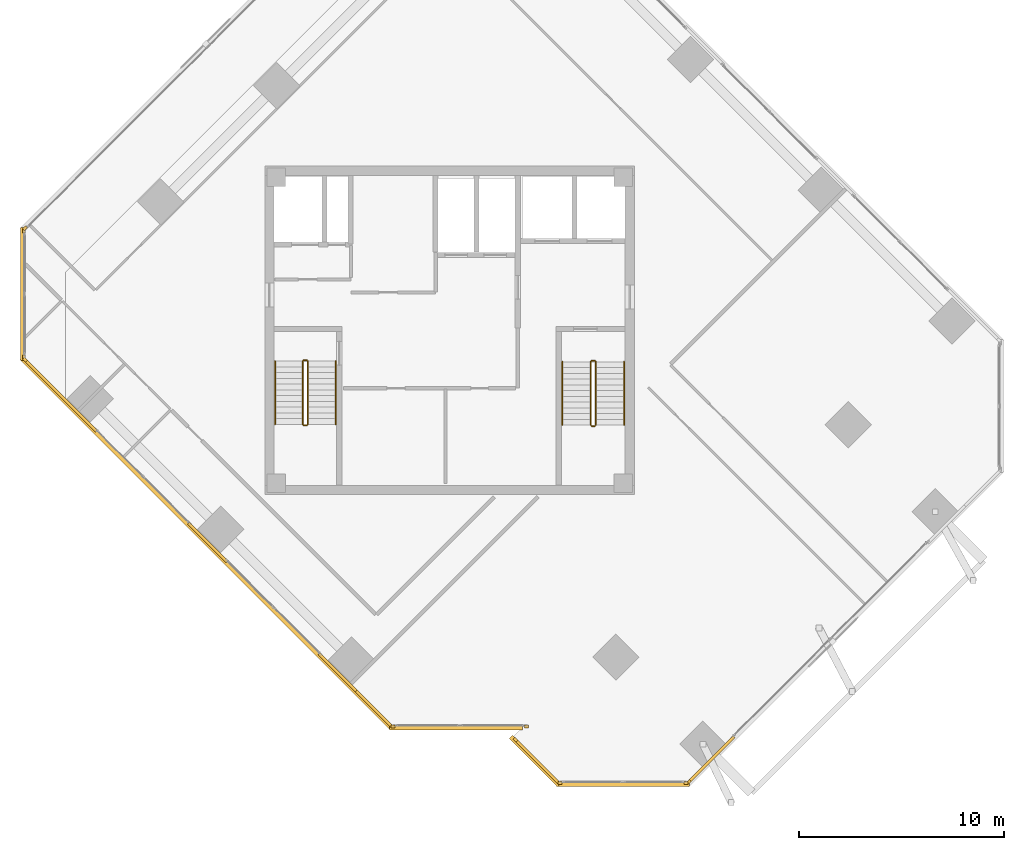
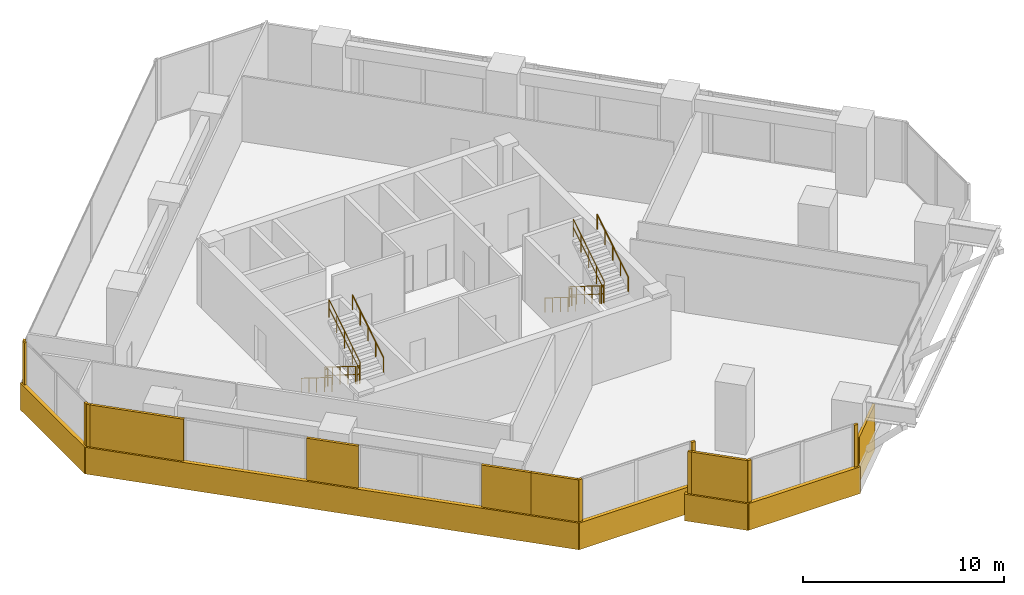
# One storey, part 15 of 17: 21 coverings, 12 railings.
"""IFC4 building model written with IfcOpenShell, lengths in metres."""

import ifcopenshell
import ifcopenshell.guid

model = None  # the IFC model being written
_history = None  # IfcOwnerHistory: only IFC2X3 demands one
_inside = {}  # id of a spatial element -> (the spatial element, [elements in it])
_under = {}  # id of a project, library or spatial element -> (it, [spatial elements below it])
_declared = {}  # id of a project -> (the project, [libraries it declares])
_typed = {}  # id of a type object -> (the type object, [elements of that type])
_made_of = {}  # id of a material, layer set ... -> (it, [elements and type objects made of it])


def new_model(schema):
    """Start an empty IFC model of exactly this schema.

    Asked for "IFC4X3", IfcOpenShell would pick the latest addendum, in which some entities
    have other attributes; the version numbers below select the first issue.
    IFC2X3 requires an IfcOwnerHistory on every rooted entity: one is made here for all.
    """
    global model, _history
    if schema == "IFC4X3":
        model = ifcopenshell.file(schema_version=(4, 3, 0, 0))
    else:
        model = ifcopenshell.file(schema=schema)
    _inside.clear()
    _under.clear()
    _declared.clear()
    _typed.clear()
    _made_of.clear()
    _history = None
    if model.schema == "IFC2X3":
        org = make("IfcOrganization", Name="unknown")
        user = make(
            "IfcPersonAndOrganization",
            ThePerson=make("IfcPerson", FamilyName="unknown"),
            TheOrganization=org,
        )
        app = make(
            "IfcApplication",
            ApplicationDeveloper=org,
            Version="unknown",
            ApplicationFullName="unknown",
            ApplicationIdentifier="unknown",
        )
        _history = make(
            "IfcOwnerHistory",
            OwningUser=user,
            OwningApplication=app,
            ChangeAction="ADDED",
            CreationDate=0,
        )
    return model


def make(cls, **values):
    """One entity of the class cls with the attributes given. An attribute that is None is left unset."""
    return model.create_entity(
        cls, **{name: value for name, value in values.items() if value is not None}
    )


def rooted(cls, **values):
    """An entity with a GlobalId (a new one), such as an element, a storey or a relation."""
    return make(cls, GlobalId=ifcopenshell.guid.new(), OwnerHistory=_history, **values)


def si_unit(unit_type, name, prefix=None):
    """IfcSIUnit, for example si_unit("LENGTHUNIT", "METRE", prefix="MILLI")."""
    return make("IfcSIUnit", UnitType=unit_type, Prefix=prefix, Name=name)


def assignment(units):
    """IfcUnitAssignment: the units of a project."""
    return None if units is None else make("IfcUnitAssignment", Units=units)


def point(xyz):
    """IfcCartesianPoint."""
    return None if xyz is None else make("IfcCartesianPoint", Coordinates=xyz)


def direction(xyz):
    """IfcDirection."""
    return None if xyz is None else make("IfcDirection", DirectionRatios=xyz)


def frame(location, z_axis=None, x_axis=None):
    """IfcAxis2Placement3D, a coordinate frame: its origin and axes. An axis left out is left unset."""
    return make(
        "IfcAxis2Placement3D",
        Location=point(location),
        Axis=direction(z_axis),
        RefDirection=direction(x_axis),
    )


def frame_2d(location, x_axis=None):
    """IfcAxis2Placement2D, a coordinate frame in the plane: its origin and x axis."""
    return make(
        "IfcAxis2Placement2D", Location=point(location), RefDirection=direction(x_axis)
    )


def origin():
    """The frame at (0, 0, 0) with its axes left unset."""
    return frame((0.0, 0.0, 0.0))


def origin_2d():
    """The frame at (0, 0) in the plane with its x axis left unset."""
    return frame_2d((0.0, 0.0))


def place(relative_to, where):
    """IfcLocalPlacement: puts the frame where relative to a parent placement (None: the world)."""
    return make(
        "IfcLocalPlacement", PlacementRelTo=relative_to, RelativePlacement=where
    )


def context(
    kind, dimensions, precision=None, world=None, true_north=None, identifier=None
):
    """IfcGeometricRepresentationContext, for example the 3D "Model" context."""
    return make(
        "IfcGeometricRepresentationContext",
        ContextIdentifier=identifier,
        ContextType=kind,
        CoordinateSpaceDimension=dimensions,
        Precision=precision,
        WorldCoordinateSystem=world,
        TrueNorth=true_north,
    )


def subcontext(parent, identifier, kind, view, scale=None):
    """IfcGeometricRepresentationSubContext, for example "Body" below "Model"."""
    return make(
        "IfcGeometricRepresentationSubContext",
        ContextIdentifier=identifier,
        ContextType=kind,
        ParentContext=parent,
        TargetScale=scale,
        TargetView=view,
    )


def project(units=None, contexts=None):
    """IfcProject with its units and contexts."""
    return rooted(
        "IfcProject",
        Name="project",
        RepresentationContexts=contexts,
        UnitsInContext=assignment(units),
    )


def spatial(cls, under=None, at=None, **own):
    """A site, building, storey or space (cls), placed at a placement, below another one or the project."""
    s = rooted(cls, ObjectPlacement=at, **own)
    if under is not None:
        _under.setdefault(under.id(), (under, []))[1].append(s)
    return s


def profile(cls, at=None, kind="AREA", **sizes):
    """A parametric profile (cls). Its sizes go by their IFC names, for example OverallWidth=200.0."""
    return make(cls, ProfileType=kind, Position=at, **sizes)


def rectangle(**sizes):
    """IfcRectangleProfileDef."""
    return profile("IfcRectangleProfileDef", **sizes)


def circle(**sizes):
    """IfcCircleProfileDef."""
    return profile("IfcCircleProfileDef", **sizes)


def extrude(swept, where, along, depth):
    """IfcExtrudedAreaSolid: the profile swept, set in the frame where, extruded along a direction by depth."""
    return make(
        "IfcExtrudedAreaSolid",
        SweptArea=swept,
        Position=where,
        ExtrudedDirection=direction(along),
        Depth=depth,
    )


def shape(context_of_items, identifier, shape_type, items):
    """IfcShapeRepresentation: the items that make up one representation, for example the "Body"."""
    return make(
        "IfcShapeRepresentation",
        ContextOfItems=context_of_items,
        RepresentationIdentifier=identifier,
        RepresentationType=shape_type,
        Items=items,
    )


def source(mapping_origin, context_of_items, identifier, shape_type, items):
    """IfcRepresentationMap: a shape defined once, which mapped items show again and again."""
    return make(
        "IfcRepresentationMap",
        MappingOrigin=mapping_origin,
        MappedRepresentation=shape(context_of_items, identifier, shape_type, items),
    )


def transform(
    local_origin,
    x_axis=None,
    y_axis=None,
    z_axis=None,
    scale=None,
    scale2=None,
    scale3=None,
    uniform=True,
):
    """IfcCartesianTransformationOperator3D, or its non-uniform kind. x_axis, y_axis, z_axis: its Axis1, 2, 3."""
    if uniform:
        return make(
            "IfcCartesianTransformationOperator3D",
            Axis1=direction(x_axis),
            Axis2=direction(y_axis),
            LocalOrigin=point(local_origin),
            Scale=scale,
            Axis3=direction(z_axis),
        )
    return make(
        "IfcCartesianTransformationOperator3DnonUniform",
        Axis1=direction(x_axis),
        Axis2=direction(y_axis),
        LocalOrigin=point(local_origin),
        Scale=scale,
        Axis3=direction(z_axis),
        Scale2=scale2,
        Scale3=scale3,
    )


def mapped(mapping_source, mapping_target):
    """IfcMappedItem: shows the shape of a source again, moved by a transform."""
    return make(
        "IfcMappedItem", MappingSource=mapping_source, MappingTarget=mapping_target
    )


def material(Name=None, Category=None):
    """IfcMaterial."""
    return make("IfcMaterial", Name=Name, Category=Category)


def layer(
    of_material, thickness, ventilated=None, Name=None, Category=None, Priority=None
):
    """IfcMaterialLayer: one layer of a wall or slab, of a material (None: an air gap)."""
    return make(
        "IfcMaterialLayer",
        Material=of_material,
        LayerThickness=thickness,
        IsVentilated=ventilated,
        Name=Name,
        Category=Category,
        Priority=Priority,
    )


def layer_set(layers, Name=None):
    """IfcMaterialLayerSet."""
    return make("IfcMaterialLayerSet", MaterialLayers=layers, LayerSetName=Name)


def made_of(thing, what):
    """Note that an element or type object is made of a material, layer set ...; save() writes the relation."""
    if what is not None:
        _made_of.setdefault(what.id(), (what, []))[1].append(thing)
    return thing


def type_object(cls, material=None, **own):
    """A type object (cls), such as IfcWallType, which elements share."""
    return made_of(rooted(cls, **own), material)


def element(
    cls,
    number,
    at=None,
    inside=None,
    cuts=None,
    type_object=None,
    material=None,
    context=None,
    identifier="Body",
    shape_type=None,
    held_by="IfcProductDefinitionShape",
    body=None,
    shapes=None,
    **own,
):
    """One element of the class cls, such as IfcWall. Its Tag is "e" and its number.

    at: its placement. inside: the storey or other place that contains it. cuts: it is an
    opening in that element (IfcRelVoidsElement). A single representation is given by context,
    identifier, shape_type and body (its items); several are given by shapes. held_by: the class
    of the entity that holds the representations. save() writes the other relations.
    """
    e = rooted(cls, Tag="e%d" % number, ObjectPlacement=at, **own)
    if body is not None:
        shapes = [shape(context, identifier, shape_type, body)]
    if shapes is not None:
        e.Representation = make(held_by, Representations=shapes)
    if inside is not None:
        _inside.setdefault(inside.id(), (inside, []))[1].append(e)
    if cuts is not None:
        rooted(
            "IfcRelVoidsElement", RelatingBuildingElement=cuts, RelatedOpeningElement=e
        )
    if type_object is not None:
        _typed.setdefault(type_object.id(), (type_object, []))[1].append(e)
    return made_of(e, material)


def aggregate(whole, parts):
    """IfcRelAggregates: a whole, such as a stair, and the parts it consists of."""
    return rooted("IfcRelAggregates", RelatingObject=whole, RelatedObjects=parts)


def save(model, path):
    """Write the relations noted so far, then the file.

    IfcRelAggregates (storeys below a building ...), IfcRelContainedInSpatialStructure (elements
    in a storey), IfcRelDefinesByType, IfcRelAssociatesMaterial and IfcRelDeclares: one each for
    every whole, place, type object, material and project.
    """
    for whole, parts in _under.values():
        aggregate(whole, parts)
    for where, things in _inside.values():
        rooted(
            "IfcRelContainedInSpatialStructure",
            RelatedElements=things,
            RelatingStructure=where,
        )
    for kind, things in _typed.values():
        rooted("IfcRelDefinesByType", RelatedObjects=things, RelatingType=kind)
    for what, things in _made_of.values():
        rooted("IfcRelAssociatesMaterial", RelatedObjects=things, RelatingMaterial=what)
    for by, libraries in _declared.values():
        rooted("IfcRelDeclares", RelatingContext=by, RelatedDefinitions=libraries)
    model.write(path)


model = new_model("IFC4")

# Units and contexts
model_context = context("Model", 3, precision=1e-05, world=origin(), true_north=direction((0.0, 1.0)))
body_context = subcontext(model_context, "Body", "Model", "MODEL_VIEW")
ifc_project = project(units=[si_unit("LENGTHUNIT", "METRE"), si_unit("AREAUNIT", "SQUARE_METRE"), si_unit("VOLUMEUNIT", "CUBIC_METRE"), si_unit("PLANEANGLEUNIT", "RADIAN"), si_unit("MASSUNIT", "GRAM", prefix="KILO")], contexts=[model_context])

# Site, building, storey
site_placement = place(None, origin())
site = spatial("IfcSite", under=ifc_project, at=site_placement, CompositionType="ELEMENT")
building_placement = place(site_placement, origin())
building = spatial("IfcBuilding", under=site, at=building_placement, Name="Torre Montelarca", CompositionType="ELEMENT")
storey_placement = place(building_placement, frame((0.0, 0.0, 250.0)))
storey = spatial("IfcBuildingStorey", under=building, at=storey_placement, Name="L56", CompositionType="ELEMENT", Elevation=250.0)

# Railings
ifc_material_1 = material(Name="Powder-coated steel ASTM A500 Grade C", Category="steel")
railing_type_1 = type_object("IfcRailingType", Name="RL-GUARD-1100", PredefinedType="BALUSTRADE", material=ifc_material_1)
railing_1_placement = place(storey_placement, frame((10.85009765625, 30.5, 0.175048828125)))
element("IfcRailing", 1, at=railing_1_placement, inside=storey, type_object=railing_type_1, Name="L56 ST1 stair guard 1", PredefinedType="BALUSTRADE", context=body_context, shape_type="SweptSolid", body=[
    extrude(circle(Radius=0.02392578125, at=origin_2d()), frame((0.0, 0.0, 1.076171875), z_axis=(0.0, -0.847998304005, 0.529998940003), x_axis=(1.0, 0.0, 0.0)), (0.0, 0.0, 1.0), 3.632080078125),
    extrude(circle(Radius=0.02099609375, at=origin_2d()), frame((0.0, 0.0, 0.572021484375), z_axis=(0.0, -0.847998304005, 0.529998940003), x_axis=(1.0, 0.0, 0.0)), (0.0, 0.0, 1.0), 3.632080078125),
    extrude(circle(Radius=0.02099609375, at=origin_2d()), origin(), (0.0, 0.0, 1.0), 1.052001953125),
    extrude(circle(Radius=0.02099609375, at=origin_2d()), frame((0.0, -0.77001953125, 0.481201171875)), (0.0, 0.0, 1.0), 1.052001953125),
    extrude(circle(Radius=0.02099609375, at=origin_2d()), frame((0.0, -1.5400390625, 0.96240234375)), (0.0, 0.0, 1.0), 1.052001953125),
    extrude(circle(Radius=0.02099609375, at=origin_2d()), frame((0.0, -2.31005859375, 1.44384765625)), (0.0, 0.0, 1.0), 1.052001953125),
    extrude(circle(Radius=0.02099609375, at=origin_2d()), frame((0.0, -3.080078125, 1.925048828125)), (0.0, 0.0, 1.0), 1.052001953125),
])
railing_2_placement = place(storey_placement, frame((10.89990234375, 27.3701171875, 2.10009765625)))
element("IfcRailing", 2, at=railing_2_placement, inside=storey, type_object=railing_type_1, Name="L56 ST1 stair guard 2", PredefinedType="BALUSTRADE", context=body_context, shape_type="SweptSolid", body=[
    extrude(circle(Radius=0.02392578125, at=origin_2d()), frame((0.0, 0.0, 1.076171875), z_axis=(1.0, 0.0, 0.0), x_axis=(0.0, 1.0, 0.0)), (0.0, 0.0, 1.0), 0.150146484375),
    extrude(circle(Radius=0.02099609375, at=origin_2d()), frame((0.0, 0.0, 0.572021484375), z_axis=(1.0, 0.0, 0.0), x_axis=(0.0, 1.0, 0.0)), (0.0, 0.0, 1.0), 0.150146484375),
    extrude(circle(Radius=0.02099609375, at=origin_2d()), origin(), (0.0, 0.0, 1.0), 1.052001953125),
    extrude(circle(Radius=0.02099609375, at=origin_2d()), frame((0.150146484375, 0.0, 0.0)), (0.0, 0.0, 1.0), 1.052001953125),
])
railing_3_placement = place(storey_placement, frame((11.10009765625, 27.419921875, 2.27490234375)))
element("IfcRailing", 3, at=railing_3_placement, inside=storey, type_object=railing_type_1, Name="L56 ST1 stair guard 3", PredefinedType="BALUSTRADE", context=body_context, shape_type="SweptSolid", body=[
    extrude(circle(Radius=0.02392578125, at=origin_2d()), frame((0.0, 0.0, 1.076171875), z_axis=(0.0, 0.847998304005, 0.529998940003), x_axis=(-1.0, 0.0, 0.0)), (0.0, 0.0, 1.0), 3.632080078125),
    extrude(circle(Radius=0.02099609375, at=origin_2d()), frame((0.0, 0.0, 0.572021484375), z_axis=(0.0, 0.847998304005, 0.529998940003), x_axis=(-1.0, 0.0, 0.0)), (0.0, 0.0, 1.0), 3.632080078125),
    extrude(circle(Radius=0.02099609375, at=origin_2d()), origin(), (0.0, 0.0, 1.0), 1.052001953125),
    extrude(circle(Radius=0.02099609375, at=origin_2d()), frame((0.0, 0.77001953125, 0.481201171875)), (0.0, 0.0, 1.0), 1.052001953125),
    extrude(circle(Radius=0.02099609375, at=origin_2d()), frame((0.0, 1.5400390625, 0.96240234375)), (0.0, 0.0, 1.0), 1.052001953125),
    extrude(circle(Radius=0.02099609375, at=origin_2d()), frame((0.0, 2.31005859375, 1.44384765625)), (0.0, 0.0, 1.0), 1.052001953125),
    extrude(circle(Radius=0.02099609375, at=origin_2d()), frame((0.0, 3.080078125, 1.925048828125)), (0.0, 0.0, 1.0), 1.052001953125),
])
railing_4_placement = place(storey_placement, frame((10.89990234375, 30.550048828125, 0.0)))
element("IfcRailing", 4, at=railing_4_placement, inside=storey, type_object=railing_type_1, Name="L56 ST1 stair guard 4", PredefinedType="BALUSTRADE", context=body_context, shape_type="SweptSolid", body=[
    extrude(circle(Radius=0.02392578125, at=origin_2d()), frame((0.0, 0.0, 1.076171875), z_axis=(1.0, 0.0, 0.0), x_axis=(0.0, 1.0, 0.0)), (0.0, 0.0, 1.0), 0.150146484375),
    extrude(circle(Radius=0.02099609375, at=origin_2d()), frame((0.0, 0.0, 0.572021484375), z_axis=(1.0, 0.0, 0.0), x_axis=(0.0, 1.0, 0.0)), (0.0, 0.0, 1.0), 0.150146484375),
    extrude(circle(Radius=0.02099609375, at=origin_2d()), origin(), (0.0, 0.0, 1.0), 1.052001953125),
    extrude(circle(Radius=0.02099609375, at=origin_2d()), frame((0.150146484375, 0.0, 0.0)), (0.0, 0.0, 1.0), 1.052001953125),
])
railing_5_placement = place(storey_placement, frame((24.8701171875, 30.469970703125, 0.175048828125)))
element("IfcRailing", 5, at=railing_5_placement, inside=storey, type_object=railing_type_1, Name="L56 ST2 stair guard 1", PredefinedType="BALUSTRADE", context=body_context, shape_type="SweptSolid", body=[
    extrude(circle(Radius=0.02392578125, at=origin_2d()), frame((0.0, 0.0, 1.076171875), z_axis=(0.0, -0.847998304005, 0.529998940003), x_axis=(1.0, 0.0, 0.0)), (0.0, 0.0, 1.0), 3.632080078125),
    extrude(circle(Radius=0.02099609375, at=origin_2d()), frame((0.0, 0.0, 0.572021484375), z_axis=(0.0, -0.847998304005, 0.529998940003), x_axis=(1.0, 0.0, 0.0)), (0.0, 0.0, 1.0), 3.632080078125),
    extrude(circle(Radius=0.02099609375, at=origin_2d()), origin(), (0.0, 0.0, 1.0), 1.052001953125),
    extrude(circle(Radius=0.02099609375, at=origin_2d()), frame((0.0, -0.77001953125, 0.481201171875)), (0.0, 0.0, 1.0), 1.052001953125),
    extrude(circle(Radius=0.02099609375, at=origin_2d()), frame((0.0, -1.5400390625, 0.96240234375)), (0.0, 0.0, 1.0), 1.052001953125),
    extrude(circle(Radius=0.02099609375, at=origin_2d()), frame((0.0, -2.31005859375, 1.44384765625)), (0.0, 0.0, 1.0), 1.052001953125),
    extrude(circle(Radius=0.02099609375, at=origin_2d()), frame((0.0, -3.080078125, 1.925048828125)), (0.0, 0.0, 1.0), 1.052001953125),
])
railing_6_placement = place(storey_placement, frame((24.919921875, 27.340087890625, 2.10009765625)))
element("IfcRailing", 6, at=railing_6_placement, inside=storey, type_object=railing_type_1, Name="L56 ST2 stair guard 2", PredefinedType="BALUSTRADE", context=body_context, shape_type="SweptSolid", body=[
    extrude(circle(Radius=0.02392578125, at=origin_2d()), frame((0.0, 0.0, 1.076171875), z_axis=(1.0, 0.0, 0.0), x_axis=(0.0, 1.0, 0.0)), (0.0, 0.0, 1.0), 0.150146484375),
    extrude(circle(Radius=0.02099609375, at=origin_2d()), frame((0.0, 0.0, 0.572021484375), z_axis=(1.0, 0.0, 0.0), x_axis=(0.0, 1.0, 0.0)), (0.0, 0.0, 1.0), 0.150146484375),
    extrude(circle(Radius=0.02099609375, at=origin_2d()), origin(), (0.0, 0.0, 1.0), 1.052001953125),
    extrude(circle(Radius=0.02099609375, at=origin_2d()), frame((0.150146484375, 0.0, 0.0)), (0.0, 0.0, 1.0), 1.052001953125),
])
railing_7_placement = place(storey_placement, frame((25.1201171875, 27.389892578125, 2.27490234375)))
element("IfcRailing", 7, at=railing_7_placement, inside=storey, type_object=railing_type_1, Name="L56 ST2 stair guard 3", PredefinedType="BALUSTRADE", context=body_context, shape_type="SweptSolid", body=[
    extrude(circle(Radius=0.02392578125, at=origin_2d()), frame((0.0, 0.0, 1.076171875), z_axis=(0.0, 0.847998304005, 0.529998940003), x_axis=(-1.0, 0.0, 0.0)), (0.0, 0.0, 1.0), 3.632080078125),
    extrude(circle(Radius=0.02099609375, at=origin_2d()), frame((0.0, 0.0, 0.572021484375), z_axis=(0.0, 0.847998304005, 0.529998940003), x_axis=(-1.0, 0.0, 0.0)), (0.0, 0.0, 1.0), 3.632080078125),
    extrude(circle(Radius=0.02099609375, at=origin_2d()), origin(), (0.0, 0.0, 1.0), 1.052001953125),
    extrude(circle(Radius=0.02099609375, at=origin_2d()), frame((0.0, 0.77001953125, 0.481201171875)), (0.0, 0.0, 1.0), 1.052001953125),
    extrude(circle(Radius=0.02099609375, at=origin_2d()), frame((0.0, 1.5400390625, 0.96240234375)), (0.0, 0.0, 1.0), 1.052001953125),
    extrude(circle(Radius=0.02099609375, at=origin_2d()), frame((0.0, 2.31005859375, 1.44384765625)), (0.0, 0.0, 1.0), 1.052001953125),
    extrude(circle(Radius=0.02099609375, at=origin_2d()), frame((0.0, 3.080078125, 1.925048828125)), (0.0, 0.0, 1.0), 1.052001953125),
])
railing_8_placement = place(storey_placement, frame((24.919921875, 30.52001953125, 0.0)))
element("IfcRailing", 8, at=railing_8_placement, inside=storey, type_object=railing_type_1, Name="L56 ST2 stair guard 4", PredefinedType="BALUSTRADE", context=body_context, shape_type="SweptSolid", body=[
    extrude(circle(Radius=0.02392578125, at=origin_2d()), frame((0.0, 0.0, 1.076171875), z_axis=(1.0, 0.0, 0.0), x_axis=(0.0, 1.0, 0.0)), (0.0, 0.0, 1.0), 0.150146484375),
    extrude(circle(Radius=0.02099609375, at=origin_2d()), frame((0.0, 0.0, 0.572021484375), z_axis=(1.0, 0.0, 0.0), x_axis=(0.0, 1.0, 0.0)), (0.0, 0.0, 1.0), 0.150146484375),
    extrude(circle(Radius=0.02099609375, at=origin_2d()), origin(), (0.0, 0.0, 1.0), 1.052001953125),
    extrude(circle(Radius=0.02099609375, at=origin_2d()), frame((0.150146484375, 0.0, 0.0)), (0.0, 0.0, 1.0), 1.052001953125),
])
ifc_material_2 = material(Name="Brushed stainless steel AISI 316", Category="steel")
railing_type_2 = type_object("IfcRailingType", Name="RL-HANDRAIL-900", PredefinedType="HANDRAIL", material=ifc_material_2)
railing_9_placement = place(storey_placement, frame((9.5, 30.5, 0.175048828125)))
element("IfcRailing", 9, at=railing_9_placement, inside=storey, type_object=railing_type_2, Name="L56 ST1 stair handrail 1", PredefinedType="HANDRAIL", context=body_context, shape_type="SweptSolid", body=[
    extrude(circle(Radius=0.02392578125, at=origin_2d()), frame((0.0, 0.0, 0.8759765625), z_axis=(0.0, -0.847998304005, 0.529998940003), x_axis=(1.0, 0.0, 0.0)), (0.0, 0.0, 1.0), 3.632080078125),
    extrude(circle(Radius=0.02099609375, at=origin_2d()), origin(), (0.0, 0.0, 1.0), 0.851806640625),
    extrude(circle(Radius=0.02099609375, at=origin_2d()), frame((0.0, -0.77001953125, 0.481201171875)), (0.0, 0.0, 1.0), 0.851806640625),
    extrude(circle(Radius=0.02099609375, at=origin_2d()), frame((0.0, -1.5400390625, 0.96240234375)), (0.0, 0.0, 1.0), 0.851806640625),
    extrude(circle(Radius=0.02099609375, at=origin_2d()), frame((0.0, -2.31005859375, 1.44384765625)), (0.0, 0.0, 1.0), 0.851806640625),
    extrude(circle(Radius=0.02099609375, at=origin_2d()), frame((0.0, -3.080078125, 1.925048828125)), (0.0, 0.0, 1.0), 0.851806640625),
])
railing_10_placement = place(storey_placement, frame((12.449951171875, 27.419921875, 2.27490234375)))
element("IfcRailing", 10, at=railing_10_placement, inside=storey, type_object=railing_type_2, Name="L56 ST1 stair handrail 2", PredefinedType="HANDRAIL", context=body_context, shape_type="SweptSolid", body=[
    extrude(circle(Radius=0.02392578125, at=origin_2d()), frame((0.0, 0.0, 0.8759765625), z_axis=(0.0, 0.847998304005, 0.529998940003), x_axis=(-1.0, 0.0, 0.0)), (0.0, 0.0, 1.0), 3.632080078125),
    extrude(circle(Radius=0.02099609375, at=origin_2d()), origin(), (0.0, 0.0, 1.0), 0.851806640625),
    extrude(circle(Radius=0.02099609375, at=origin_2d()), frame((0.0, 0.77001953125, 0.481201171875)), (0.0, 0.0, 1.0), 0.851806640625),
    extrude(circle(Radius=0.02099609375, at=origin_2d()), frame((0.0, 1.5400390625, 0.96240234375)), (0.0, 0.0, 1.0), 0.851806640625),
    extrude(circle(Radius=0.02099609375, at=origin_2d()), frame((0.0, 2.31005859375, 1.44384765625)), (0.0, 0.0, 1.0), 0.851806640625),
    extrude(circle(Radius=0.02099609375, at=origin_2d()), frame((0.0, 3.080078125, 1.925048828125)), (0.0, 0.0, 1.0), 0.851806640625),
])
railing_11_placement = place(storey_placement, frame((23.489990234375, 30.469970703125, 0.175048828125)))
element("IfcRailing", 11, at=railing_11_placement, inside=storey, type_object=railing_type_2, Name="L56 ST2 stair handrail 1", PredefinedType="HANDRAIL", context=body_context, shape_type="SweptSolid", body=[
    extrude(circle(Radius=0.02392578125, at=origin_2d()), frame((0.0, 0.0, 0.8759765625), z_axis=(0.0, -0.847998304005, 0.529998940003), x_axis=(1.0, 0.0, 0.0)), (0.0, 0.0, 1.0), 3.632080078125),
    extrude(circle(Radius=0.02099609375, at=origin_2d()), origin(), (0.0, 0.0, 1.0), 0.851806640625),
    extrude(circle(Radius=0.02099609375, at=origin_2d()), frame((0.0, -0.77001953125, 0.481201171875)), (0.0, 0.0, 1.0), 0.851806640625),
    extrude(circle(Radius=0.02099609375, at=origin_2d()), frame((0.0, -1.5400390625, 0.96240234375)), (0.0, 0.0, 1.0), 0.851806640625),
    extrude(circle(Radius=0.02099609375, at=origin_2d()), frame((0.0, -2.31005859375, 1.44384765625)), (0.0, 0.0, 1.0), 0.851806640625),
    extrude(circle(Radius=0.02099609375, at=origin_2d()), frame((0.0, -3.080078125, 1.925048828125)), (0.0, 0.0, 1.0), 0.851806640625),
])
railing_12_placement = place(storey_placement, frame((26.5, 27.389892578125, 2.27490234375)))
element("IfcRailing", 12, at=railing_12_placement, inside=storey, type_object=railing_type_2, Name="L56 ST2 stair handrail 2", PredefinedType="HANDRAIL", context=body_context, shape_type="SweptSolid", body=[
    extrude(circle(Radius=0.02392578125, at=origin_2d()), frame((0.0, 0.0, 0.8759765625), z_axis=(0.0, 0.847998304005, 0.529998940003), x_axis=(-1.0, 0.0, 0.0)), (0.0, 0.0, 1.0), 3.632080078125),
    extrude(circle(Radius=0.02099609375, at=origin_2d()), origin(), (0.0, 0.0, 1.0), 0.851806640625),
    extrude(circle(Radius=0.02099609375, at=origin_2d()), frame((0.0, 0.77001953125, 0.481201171875)), (0.0, 0.0, 1.0), 0.851806640625),
    extrude(circle(Radius=0.02099609375, at=origin_2d()), frame((0.0, 1.5400390625, 0.96240234375)), (0.0, 0.0, 1.0), 0.851806640625),
    extrude(circle(Radius=0.02099609375, at=origin_2d()), frame((0.0, 2.31005859375, 1.44384765625)), (0.0, 0.0, 1.0), 0.851806640625),
    extrude(circle(Radius=0.02099609375, at=origin_2d()), frame((0.0, 3.080078125, 1.925048828125)), (0.0, 0.0, 1.0), 0.851806640625),
])

# Coverings
ifc_material_3 = material(Name="Bush-hammered warm white precast concrete C45/55", Category="concrete")
ifc_layer = layer(ifc_material_3, 0.139892578125, Name="Bush-hammered warm white precast concrete C45/55", Category="concrete")
ifc_layer_set = layer_set([ifc_layer], Name="Bush-hammered warm white precast concrete C45/55")
covering_type = type_object("IfcCoveringType", Name="COV-TRAY-CLAD", PredefinedType="CLADDING", material=ifc_layer_set)
shared_shape_1 = source(origin(), body_context, "Body", "SweptSolid", [
    extrude(rectangle(XDim=6.48388671875, YDim=0.219970703125, at=origin_2d()), origin(), (0.0, 0.0, 1.0), 1.6201171875),
])
for number, where, z_axis, x_axis, name in (
    (13, (18.318115234375, 12.6552734375, -0.449951171875), (0.0, 0.0, 1.0), (1.0, 0.0, 0.0), "L56 Architectural White Spandrel Tray Band TRYBOT-02"),
    (14, (26.44970703125, 9.897705078125, -0.449951171875), (0.0, 0.0, 1.0), (1.0, 0.0, 0.0), "L56 Architectural White Spandrel Tray Band TRYBOT-05"),
    (15, (-2.79443359375, 33.767578125, -0.449951171875), (0.0, 0.0, 1.0), (0.0, -1.0, 0.0), "L56 Architectural White Spandrel Tray Band TRYBOT-11"),
):
    element("IfcCovering", number, at=place(storey_placement, frame(where, z_axis=z_axis, x_axis=x_axis)), inside=storey, type_object=covering_type, Name=name, PredefinedType="CLADDING", context=body_context, shape_type="MappedRepresentation", body=[
        mapped(shared_shape_1, transform((0.0, 0.0, 0.0), scale=1.0)),
    ])
shared_shape_2 = source(origin(), body_context, "Body", "SweptSolid", [
    extrude(rectangle(XDim=25.52001953125, YDim=0.219970703125, at=origin_2d()), origin(), (0.0, 0.0, 1.0), 1.6201171875),
])
covering_1_placement = place(storey_placement, frame((6.177001953125, 21.626708984375, -0.449951171875), z_axis=(0.0, 0.0, 1.0), x_axis=(0.707106781187, -0.707106781187, 0.0)))
element("IfcCovering", 16, at=covering_1_placement, inside=storey, type_object=covering_type, Name="L56 Architectural White Spandrel Tray Band TRYBOT-01", PredefinedType="CLADDING", context=body_context, shape_type="MappedRepresentation", body=[
    mapped(shared_shape_2, transform((0.0, 0.0, 0.0), scale=1.0)),
])
shared_shape_3 = source(origin(), body_context, "Body", "SweptSolid", [
    extrude(rectangle(XDim=0.199951171875, YDim=0.139892578125, at=origin_2d()), origin(), (0.0, 0.0, 1.0), 3.719970703125),
])
for number, where, z_axis, x_axis, name in (
    (17, (-2.678955078125, 30.5673828125, 0.0), (0.0, 0.0, 1.0), (0.707106781187, -0.707106781187, 0.0), "L56 Architectural Column Pier Cladding E01-1"),
    (18, (15.251708984375, 12.71533203125, 0.0), (0.0, 0.0, 1.0), (1.0, 0.0, 0.0), "L56 Architectural Column Pier Cladding E02-1"),
    (19, (21.751708984375, 12.71533203125, 0.0), (0.0, 0.0, 1.0), (1.0, 0.0, 0.0), "L56 Architectural Column Pier Cladding E02-2"),
    (20, (21.204345703125, 12.05810546875, 0.0), (0.0, 0.0, 1.0), (0.707124058854, -0.707089503097, 0.0), "L56 Architectural Column Pier Cladding E04-1"),
    (21, (23.383544921875, 9.95751953125, 0.0), (0.0, 0.0, 1.0), (1.0, 0.0, 0.0), "L56 Architectural Column Pier Cladding E05-1"),
    (22, (29.515869140625, 9.95751953125, 0.0), (0.0, 0.0, 1.0), (1.0, 0.0, 0.0), "L56 Architectural Column Pier Cladding E05-2"),
    (23, (-2.678955078125, 36.968017578125, 0.0), (0.0, 0.0, 1.0), (-0.707104312914, -0.707109249451, 0.0), "L56 Architectural Column Pier Cladding E10-2"),
    (24, (-2.734619140625, 36.833984375, 0.0), (0.0, 0.0, 1.0), (0.0, -1.0, 0.0), "L56 Architectural Column Pier Cladding E11-1"),
    (25, (-2.734619140625, 30.70166015625, 0.0), (0.0, 0.0, 1.0), (0.0, -1.0, 0.0), "L56 Architectural Column Pier Cladding E11-2"),
):
    element("IfcCovering", number, at=place(storey_placement, frame(where, z_axis=z_axis, x_axis=x_axis)), inside=storey, type_object=covering_type, Name=name, PredefinedType="CLADDING", context=body_context, shape_type="MappedRepresentation", body=[
        mapped(shared_shape_3, transform((0.0, 0.0, 0.0), scale=1.0)),
    ])
shared_shape_4 = source(origin(), body_context, "Body", "SweptSolid", [
    extrude(rectangle(XDim=0.199951171875, YDim=0.139892578125, at=origin_2d()), origin(), (0.0, 0.0, 1.0), 2.77490234375),
])
covering_2_placement = place(storey_placement, frame((29.64990234375, 10.01318359375, 0.0), z_axis=(0.0, 0.0, 1.0), x_axis=(0.707106781187, 0.707106781187, 0.0)))
element("IfcCovering", 26, at=covering_2_placement, inside=storey, type_object=covering_type, Name="L56 Architectural Column Pier Cladding E06-1", PredefinedType="CLADDING", context=body_context, shape_type="MappedRepresentation", body=[
    mapped(shared_shape_4, transform((0.0, 0.0, 0.0), scale=1.0)),
])
shared_shape_5 = source(origin(), body_context, "Body", "SweptSolid", [
    extrude(rectangle(XDim=3.320068359375, YDim=0.219970703125, at=origin_2d()), origin(), (0.0, 0.0, 1.0), 1.6201171875),
])
covering_3_placement = place(storey_placement, frame((22.15771484375, 11.020263671875, -0.449951171875), z_axis=(0.0, 0.0, 1.0), x_axis=(0.707122824748, -0.707090737261, 0.0)))
element("IfcCovering", 27, at=covering_3_placement, inside=storey, type_object=covering_type, Name="L56 Architectural White Spandrel Tray Band TRYBOT-04", PredefinedType="CLADDING", context=body_context, shape_type="MappedRepresentation", body=[
    mapped(shared_shape_5, transform((0.0, 0.0, 0.0), scale=1.0)),
])
shared_shape_6 = source(origin(), body_context, "Body", "SweptSolid", [
    extrude(rectangle(XDim=2.9921875, YDim=0.139892578125, at=origin_2d()), origin(), (0.0, 0.0, 1.0), 3.719970703125),
])
covering_4_placement = place(storey_placement, frame((22.26220703125, 11.000244140625, 0.0), z_axis=(0.0, 0.0, 1.0), x_axis=(0.707124058854, -0.707089503097, 0.0)))
element("IfcCovering", 28, at=covering_4_placement, inside=storey, type_object=covering_type, Name="L56 Architectural Column Pier Cladding E04-2", PredefinedType="CLADDING", context=body_context, shape_type="MappedRepresentation", body=[
    mapped(shared_shape_6, transform((0.0, 0.0, 0.0), scale=1.0)),
])
shared_shape_7 = source(origin(), body_context, "Body", "SweptSolid", [
    extrude(rectangle(XDim=2.659912109375, YDim=0.139892578125, at=origin_2d()), origin(), (0.0, 0.0, 1.0), 3.719970703125),
])
for number, where, z_axis, x_axis, name in (
    (29, (6.219482421875, 21.669189453125, 0.0), (0.0, 0.0, 1.0), (0.707106781187, -0.707106781187, 0.0), "L56 Architectural Column Pier Cladding E01-3"),
    (30, (12.58349609375, 15.30517578125, 0.0), (0.0, 0.0, 1.0), (0.707106781187, -0.707106781187, 0.0), "L56 Architectural Column Pier Cladding E01-4"),
):
    element("IfcCovering", number, at=place(storey_placement, frame(where, z_axis=z_axis, x_axis=x_axis)), inside=storey, type_object=covering_type, Name=name, PredefinedType="CLADDING", context=body_context, shape_type="MappedRepresentation", body=[
        mapped(shared_shape_7, transform((0.0, 0.0, 0.0), scale=1.0)),
    ])
shared_shape_8 = source(origin(), body_context, "Body", "SweptSolid", [
    extrude(rectangle(XDim=2.4541015625, YDim=0.139892578125, at=origin_2d()), origin(), (0.0, 0.0, 1.0), 3.719970703125),
])
covering_5_placement = place(storey_placement, frame((14.32080078125, 13.56787109375, 0.0), z_axis=(0.0, 0.0, 1.0), x_axis=(0.707106781187, -0.707106781187, 0.0)))
element("IfcCovering", 31, at=covering_5_placement, inside=storey, type_object=covering_type, Name="L56 Architectural Column Pier Cladding E01-5", PredefinedType="CLADDING", context=body_context, shape_type="MappedRepresentation", body=[
    mapped(shared_shape_8, transform((0.0, 0.0, 0.0), scale=1.0)),
])
shared_shape_9 = source(origin(), body_context, "Body", "SweptSolid", [
    extrude(rectangle(XDim=4.9140625, YDim=0.139892578125, at=origin_2d()), origin(), (0.0, 0.0, 1.0), 3.719970703125),
])
covering_6_placement = place(storey_placement, frame((-0.94140625, 28.830078125, 0.0), z_axis=(0.0, 0.0, 1.0), x_axis=(0.707106781187, -0.707106781187, 0.0)))
element("IfcCovering", 32, at=covering_6_placement, inside=storey, type_object=covering_type, Name="L56 Architectural Column Pier Cladding E01-2", PredefinedType="CLADDING", context=body_context, shape_type="MappedRepresentation", body=[
    mapped(shared_shape_9, transform((0.0, 0.0, 0.0), scale=1.0)),
])
shared_shape_10 = source(origin(), body_context, "Body", "SweptSolid", [
    extrude(rectangle(XDim=3.114013671875, YDim=0.139892578125, at=origin_2d()), origin(), (0.0, 0.0, 1.0), 2.77490234375),
])
covering_7_placement = place(storey_placement, frame((30.7509765625, 11.1142578125, 0.0), z_axis=(0.0, 0.0, 1.0), x_axis=(0.707106781187, 0.707106781187, 0.0)))
element("IfcCovering", 33, at=covering_7_placement, inside=storey, type_object=covering_type, Name="L56 Architectural Column Pier Cladding E06-2", PredefinedType="CLADDING", context=body_context, shape_type="MappedRepresentation", body=[
    mapped(shared_shape_10, transform((0.0, 0.0, 0.0), scale=1.0)),
])

save(model, "model.ifc")
